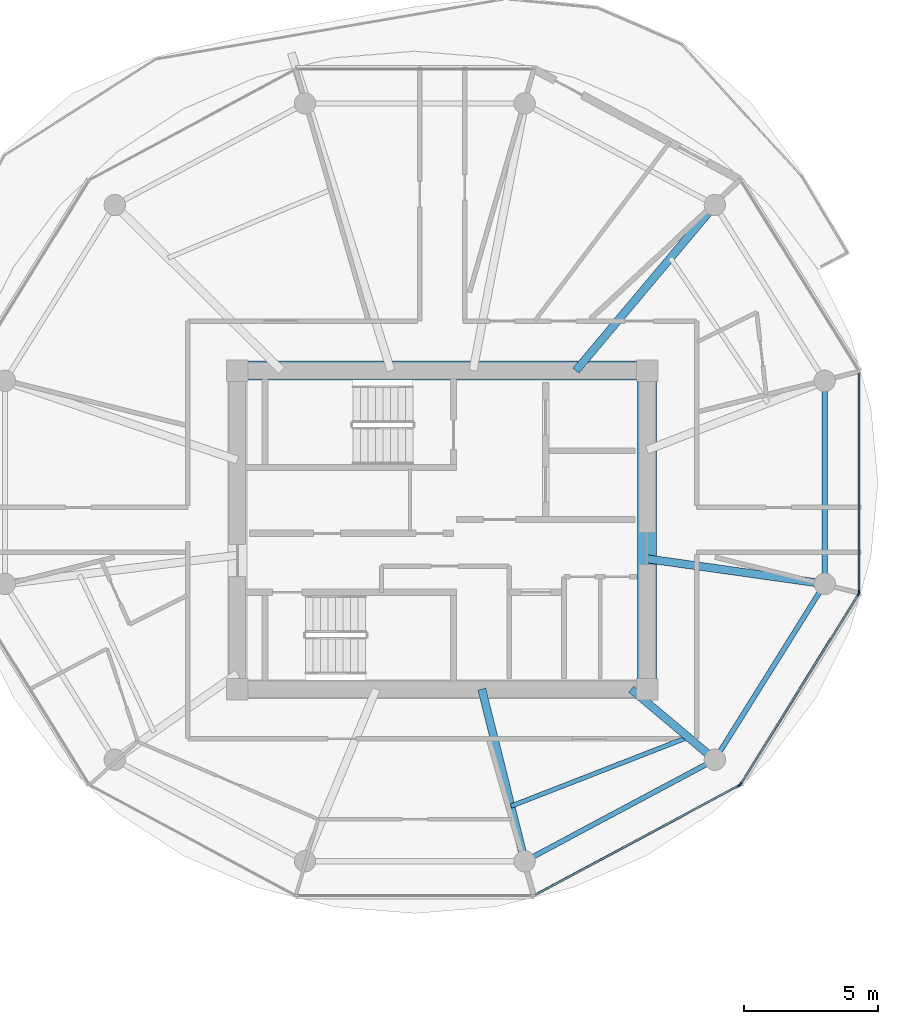
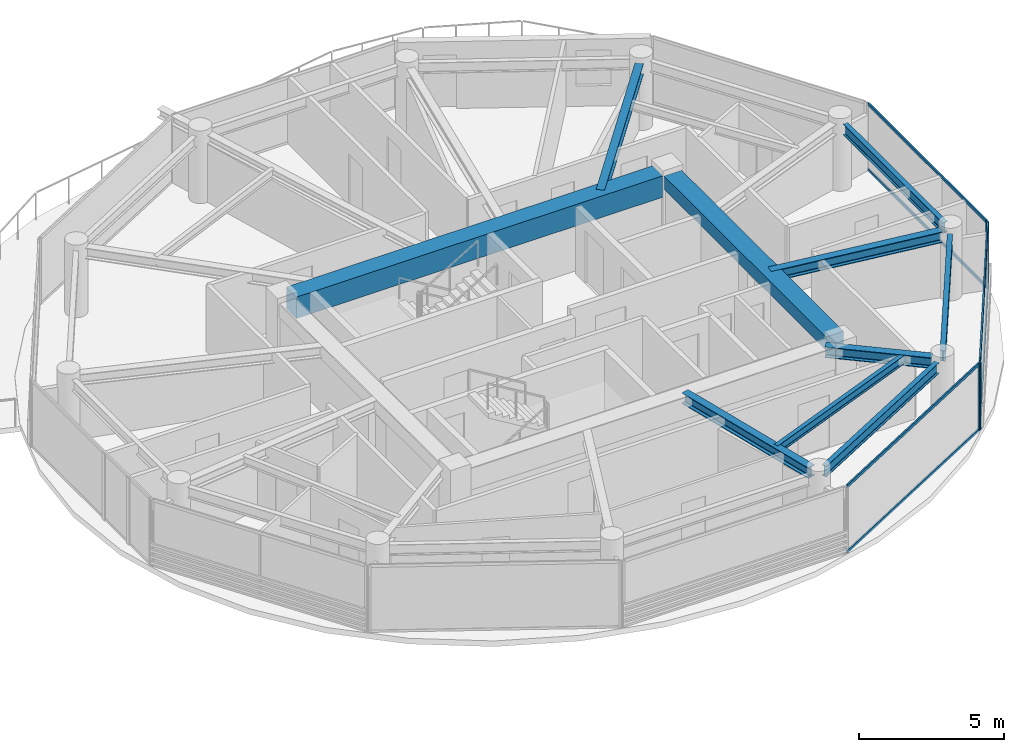
# One storey, part 9 of 22: 10 beams, 10 members, 3 elements without a shape of their own.
"""IFC4 building model written with IfcOpenShell, lengths in metres."""

from ifc_helpers import new_model, si_unit, direction, frame, origin, origin_2d, place, context, subcontext, project, spatial, rectangle, i_section, extrude, source, transform, mapped, material, layer, layer_set, material_profile, profile_set, type_object, type_shapes, element, aggregate, save


model = new_model("IFC4")

# Units and contexts
model_context = context("Model", 3, precision=1e-05, world=origin(), true_north=direction((0.0, 1.0)))
body_context = subcontext(model_context, "Body", "Model", "MODEL_VIEW")
ifc_project = project(units=[si_unit("LENGTHUNIT", "METRE"), si_unit("AREAUNIT", "SQUARE_METRE"), si_unit("VOLUMEUNIT", "CUBIC_METRE"), si_unit("PLANEANGLEUNIT", "RADIAN"), si_unit("MASSUNIT", "GRAM", prefix="KILO")], contexts=[model_context])

# Site, building, storey
site_placement = place(None, origin())
site = spatial("IfcSite", under=ifc_project, at=site_placement, CompositionType="ELEMENT")
building_placement = place(site_placement, origin())
building = spatial("IfcBuilding", under=site, at=building_placement, Name="Norrkilde Senior Care Towers", CompositionType="ELEMENT")
storey_placement = place(building_placement, frame((0.0, 0.0, 180.050048828125)))
storey = spatial("IfcBuildingStorey", under=building, at=storey_placement, Name="L56", CompositionType="ELEMENT", Elevation=180.050048828125)

# Beams
ifc_material_1 = material(Name="Concrete C60/75", Category="concrete")
ifc_material_profile_1 = material_profile(ifc_material_1, rectangle(XDim=0.699951171875, YDim=0.89990234375, at=origin_2d()), Name="RC BM 700x900")
ifc_profile_set_1 = profile_set([ifc_material_profile_1], Name="Concrete C60/75")
beam_type_1 = type_object("IfcBeamType", Name="Core Coupling Girder 700x900", PredefinedType="USERDEFINED", material=ifc_profile_set_1)
shared_shape_1 = source(origin(), body_context, "Body", "SweptSolid", [
    extrude(rectangle(XDim=0.699951171875, YDim=0.89990234375, at=origin_2d()), origin(), (0.0, 0.0, 1.0), 14.5400390625),
])
type_shapes(beam_type_1, [shared_shape_1])
beam_1_placement = place(storey_placement, frame((20.72998046875, 5.949951171875, 2.35986328125), z_axis=(1.0, 0.0, 0.0), x_axis=(0.0, 1.0, 0.0)))
element("IfcBeam", 1, at=beam_1_placement, inside=storey, type_object=beam_type_1, Name="L56 Core E N Coupling Girder", ObjectType="GIRDER", PredefinedType="USERDEFINED", context=body_context, shape_type="MappedRepresentation", body=[
    mapped(shared_shape_1, transform((0.0, 0.0, 0.0), x_axis=(1.0, 0.0, 0.0), y_axis=(0.0, 1.0, 0.0), z_axis=(0.0, 0.0, 1.0), scale=1.0)),
])
ifc_material_profile_2 = material_profile(ifc_material_1, rectangle(XDim=0.699951171875, YDim=0.550048828125, at=origin_2d()), Name="RC BM 700x550")
ifc_profile_set_2 = profile_set([ifc_material_profile_2], Name="Concrete C60/75")
beam_type_2 = type_object("IfcBeamType", Name="Core Portal Coupling Beam 700x550", PredefinedType="USERDEFINED", material=ifc_profile_set_2)
shared_shape_2 = source(origin(), body_context, "Body", "SweptSolid", [
    extrude(rectangle(XDim=0.699951171875, YDim=0.550048828125, at=origin_2d()), origin(), (0.0, 0.0, 1.0), 11.14013671875),
])
type_shapes(beam_type_2, [shared_shape_2])
beam_2_placement = place(storey_placement, frame((35.64990234375, -5.570068359375, 2.534912109375), z_axis=(0.0, 1.0, 0.0), x_axis=(-1.0, 0.0, 0.0)))
element("IfcBeam", 2, at=beam_2_placement, inside=storey, type_object=beam_type_2, Name="L56 Core E E Coupling Girder", ObjectType="GIRDER", PredefinedType="USERDEFINED", context=body_context, shape_type="MappedRepresentation", body=[
    mapped(shared_shape_2, transform((0.0, 0.0, 0.0), x_axis=(1.0, 0.0, 0.0), y_axis=(0.0, 1.0, 0.0), z_axis=(0.0, 0.0, 1.0), scale=1.0)),
])
ifc_material_2 = material(Name="Steel S355", Category="steel")
ifc_material_profile_3 = material_profile(ifc_material_2, i_section(OverallWidth=0.300048828125, OverallDepth=0.449951171875, WebThickness=0.013916015625, FlangeThickness=0.02587890625, FilletRadius=0.027099609375, at=origin_2d()), Name="HEB 450")
ifc_profile_set_3 = profile_set([ifc_material_profile_3], Name="Steel S355")
beam_type_3 = type_object("IfcBeamType", Name="Radial Floor Beam Z3 HEB450", PredefinedType="BEAM", material=ifc_profile_set_3)
shared_shape_3 = source(origin(), body_context, "Body", "SweptSolid", [
    extrude(i_section(OverallWidth=0.300048828125, OverallDepth=0.449951171875, WebThickness=0.013916015625, FlangeThickness=0.02587890625, FilletRadius=0.027099609375, at=origin_2d()), origin(), (0.0, 0.0, 1.0), 7.71337890625),
])
beam_3_placement = place(storey_placement, frame((32.992919921875, 5.949951171875, 2.5849609375), z_axis=(0.642808239864, 0.766027131872, 0.0), x_axis=(-0.766027131872, 0.642808239864, 0.0)))
element("IfcBeam", 3, at=beam_3_placement, inside=storey, type_object=beam_type_3, Name="L56 Drum E Radial Floor Beam 02", PredefinedType="BEAM", context=body_context, shape_type="MappedRepresentation", body=[
    mapped(shared_shape_3, transform((0.0, 0.0, 0.0), x_axis=(1.0, 0.0, 0.0), y_axis=(0.0, 1.0, 0.0), z_axis=(0.0, 0.0, 1.0), scale=1.0)),
])
ifc_material_profile_4 = material_profile(ifc_material_2, i_section(OverallWidth=0.18994140625, OverallDepth=0.449951171875, WebThickness=0.009521484375, FlangeThickness=0.0146484375, FilletRadius=0.02099609375, at=origin_2d()), Name="IPE 450")
ifc_profile_set_4 = profile_set([ifc_material_profile_4], Name="Steel S355")
beam_type_4 = type_object("IfcBeamType", Name="Perimeter Ring Spandrel Z3 IPE450", PredefinedType="SPANDREL", material=ifc_profile_set_4)
shared_shape_4 = source(origin(), body_context, "Body", "SweptSolid", [
    extrude(i_section(OverallWidth=0.18994140625, OverallDepth=0.449951171875, WebThickness=0.009521484375, FlangeThickness=0.0146484375, FilletRadius=0.02099609375, at=origin_2d()), origin(), (0.0, 0.0, 1.0), 6.86328125),
])
beam_4_placement = place(storey_placement, frame((42.284912109375, -1.65625, 2.5849609375), z_axis=(0.0, 1.0, 0.0), x_axis=(-1.0, 0.0, 0.0)))
element("IfcBeam", 4, at=beam_4_placement, inside=storey, type_object=beam_type_4, Name="L56 Drum E Perimeter Spandrel 12", PredefinedType="SPANDREL", context=body_context, shape_type="MappedRepresentation", body=[
    mapped(shared_shape_4, transform((0.0, 0.0, 0.0), x_axis=(1.0, 0.0, 0.0), y_axis=(0.0, 1.0, 0.0), z_axis=(0.0, 0.0, 1.0), scale=1.0)),
])
shared_shape_5 = source(origin(), body_context, "Body", "SweptSolid", [
    extrude(i_section(OverallWidth=0.18994140625, OverallDepth=0.449951171875, WebThickness=0.009521484375, FlangeThickness=0.0146484375, FilletRadius=0.02099609375, at=origin_2d()), origin(), (0.0, 0.0, 1.0), 7.023193359375),
])
beam_5_placement = place(storey_placement, frame((38.373291015625, -8.2783203125, 2.5849609375), z_axis=(0.529805197269, 0.848119362441, 0.0), x_axis=(-0.848119362441, 0.529805197269, 0.0)))
element("IfcBeam", 5, at=beam_5_placement, inside=storey, type_object=beam_type_4, Name="L56 Drum E Perimeter Spandrel 11", PredefinedType="SPANDREL", context=body_context, shape_type="MappedRepresentation", body=[
    mapped(shared_shape_5, transform((0.0, 0.0, 0.0), x_axis=(1.0, 0.0, 0.0), y_axis=(0.0, 1.0, 0.0), z_axis=(0.0, 0.0, 1.0), scale=1.0)),
])
shared_shape_6 = source(origin(), body_context, "Body", "SweptSolid", [
    extrude(i_section(OverallWidth=0.300048828125, OverallDepth=0.449951171875, WebThickness=0.013916015625, FlangeThickness=0.02587890625, FilletRadius=0.027099609375, at=origin_2d()), origin(), (0.0, 0.0, 1.0), 6.3408203125),
])
beam_6_placement = place(storey_placement, frame((35.64990234375, -1.079833984375, 2.5849609375), z_axis=(0.990184519576, -0.139766294905, 0.0), x_axis=(0.139766294905, 0.990184519576, 0.0)))
element("IfcBeam", 6, at=beam_6_placement, inside=storey, type_object=beam_type_3, Name="L56 Drum E Radial Floor Beam 12", PredefinedType="BEAM", context=body_context, shape_type="MappedRepresentation", body=[
    mapped(shared_shape_6, transform((0.0, 0.0, 0.0), x_axis=(1.0, 0.0, 0.0), y_axis=(0.0, 1.0, 0.0), z_axis=(0.0, 0.0, 1.0), scale=1.0)),
])
shared_shape_7 = source(origin(), body_context, "Body", "SweptSolid", [
    extrude(i_section(OverallWidth=0.18994140625, OverallDepth=0.449951171875, WebThickness=0.009521484375, FlangeThickness=0.0146484375, FilletRadius=0.02099609375, at=origin_2d()), origin(), (0.0, 0.0, 1.0), 7.333984375),
])
type_shapes(beam_type_4, [shared_shape_4, shared_shape_5, shared_shape_7])
beam_7_placement = place(storey_placement, frame((31.394775390625, -12.2060546875, 2.5849609375), z_axis=(0.882234038987, 0.470811109101, 0.0), x_axis=(-0.470811109101, 0.882234038987, 0.0)))
element("IfcBeam", 7, at=beam_7_placement, inside=storey, type_object=beam_type_4, Name="L56 Drum E Perimeter Spandrel 10", PredefinedType="SPANDREL", context=body_context, shape_type="MappedRepresentation", body=[
    mapped(shared_shape_7, transform((0.0, 0.0, 0.0), x_axis=(1.0, 0.0, 0.0), y_axis=(0.0, 1.0, 0.0), z_axis=(0.0, 0.0, 1.0), scale=1.0)),
])
shared_shape_8 = source(origin(), body_context, "Body", "SweptSolid", [
    extrude(i_section(OverallWidth=0.300048828125, OverallDepth=0.449951171875, WebThickness=0.013916015625, FlangeThickness=0.02587890625, FilletRadius=0.027099609375, at=origin_2d()), origin(), (0.0, 0.0, 1.0), 3.7265625),
])
beam_8_placement = place(storey_placement, frame((35.058349609375, -5.949951171875, 2.5849609375), z_axis=(0.764567902106, -0.644543189453, 0.0), x_axis=(0.644543189453, 0.764567902106, 0.0)))
element("IfcBeam", 8, at=beam_8_placement, inside=storey, type_object=beam_type_3, Name="L56 Drum E Radial Floor Beam 11", PredefinedType="BEAM", context=body_context, shape_type="MappedRepresentation", body=[
    mapped(shared_shape_8, transform((0.0, 0.0, 0.0), x_axis=(1.0, 0.0, 0.0), y_axis=(0.0, 1.0, 0.0), z_axis=(0.0, 0.0, 1.0), scale=1.0)),
])
shared_shape_9 = source(origin(), body_context, "Body", "SweptSolid", [
    extrude(i_section(OverallWidth=0.300048828125, OverallDepth=0.449951171875, WebThickness=0.013916015625, FlangeThickness=0.02587890625, FilletRadius=0.027099609375, at=origin_2d()), origin(), (0.0, 0.0, 1.0), 6.26123046875),
])
type_shapes(beam_type_3, [shared_shape_3, shared_shape_6, shared_shape_8, shared_shape_9])
beam_9_placement = place(storey_placement, frame((29.4794921875, -5.949951171875, 2.5849609375), z_axis=(0.241324375921, -0.970444509277, 0.0), x_axis=(0.970444509277, 0.241324375921, 0.0)))
element("IfcBeam", 9, at=beam_9_placement, inside=storey, type_object=beam_type_3, Name="L56 Drum E Radial Floor Beam 10", PredefinedType="BEAM", context=body_context, shape_type="MappedRepresentation", body=[
    mapped(shared_shape_9, transform((0.0, 0.0, 0.0), x_axis=(1.0, 0.0, 0.0), y_axis=(0.0, 1.0, 0.0), z_axis=(0.0, 0.0, 1.0), scale=1.0)),
])
ifc_material_profile_5 = material_profile(ifc_material_2, i_section(OverallWidth=0.169921875, OverallDepth=0.360107421875, WebThickness=0.008056640625, FlangeThickness=0.0126953125, FilletRadius=0.01806640625, at=origin_2d()), Name="IPE 360")
ifc_profile_set_5 = profile_set([ifc_material_profile_5], Name="Steel S355")
beam_type_5 = type_object("IfcBeamType", Name="Secondary Floor Joist IPE360", PredefinedType="JOIST", material=ifc_profile_set_5)
shared_shape_10 = source(origin(), body_context, "Body", "SweptSolid", [
    extrude(i_section(OverallWidth=0.169921875, OverallDepth=0.360107421875, WebThickness=0.008056640625, FlangeThickness=0.0126953125, FilletRadius=0.01806640625, at=origin_2d()), origin(), (0.0, 0.0, 1.0), 7.1015625),
])
type_shapes(beam_type_5, [shared_shape_10])
beam_10_placement = place(storey_placement, frame((30.56591796875, -10.3193359375, 2.6298828125), z_axis=(0.931761231292, 0.363071629106, 0.0), x_axis=(-0.363071629106, 0.931761231292, 0.0)))
element("IfcBeam", 10, at=beam_10_placement, inside=storey, type_object=beam_type_5, Name="L56 Drum E Secondary Floor Joist 4", PredefinedType="JOIST", context=body_context, shape_type="MappedRepresentation", body=[
    mapped(shared_shape_10, transform((0.0, 0.0, 0.0), x_axis=(1.0, 0.0, 0.0), y_axis=(0.0, 1.0, 0.0), z_axis=(0.0, 0.0, 1.0), scale=1.0)),
])

# Curtain wall, member
ifc_material_3 = material(Name="Triple Low-E Insulated Glazing", Category="glass")
ifc_layer = layer(ifc_material_3, 0.18994140625)
ifc_layer_set = layer_set([ifc_layer], Name="Triple Low-E Insulated Glazing")
curtain_wall_type = type_object("IfcCurtainWallType", Name="CW4 Zone 3 Senior Residence Curtain Wall", PredefinedType="NOTDEFINED", material=ifc_layer_set)
curtain_wall_1_placement = place(storey_placement, origin())
curtain_wall_1 = element("IfcCurtainWall", 11, at=curtain_wall_1_placement, inside=storey, type_object=curtain_wall_type, Name="L56 Drum E Curtain Wall 09", PredefinedType="NOTDEFINED")
ifc_material_4 = material(Name="Anodised Aluminium", Category="aluminium")
ifc_material_profile_6 = material_profile(ifc_material_4, rectangle(XDim=0.06494140625, YDim=0.14990234375, at=origin_2d()), Name="ALU MULL 65x150")
ifc_profile_set_6 = profile_set([ifc_material_profile_6], Name="Anodised Aluminium")
member_type_1 = type_object("IfcMemberType", Name="Curtain Wall Mullion Z3-Z4 65x150", PredefinedType="MULLION", material=ifc_profile_set_6)
shared_shape_11 = source(origin(), body_context, "Body", "SweptSolid", [
    extrude(rectangle(XDim=0.06494140625, YDim=0.14990234375, at=origin_2d()), origin(), (0.0, 0.0, 1.0), 2.81005859375),
])
type_shapes(member_type_1, [shared_shape_11])
member_1_placement = place(storey_placement, frame((39.094482421875, -9.53955078125, 0.0), z_axis=(0.0, 0.0, 1.0), x_axis=(0.47311715104, -0.880999524059, 0.0)))
member_1 = element("IfcMember", 12, at=member_1_placement, type_object=member_type_1, Name="CW-4 mullion 1", PredefinedType="MULLION", context=body_context, shape_type="MappedRepresentation", body=[
    mapped(shared_shape_11, transform((0.0, 0.0, 0.0), x_axis=(1.0, 0.0, 0.0), y_axis=(0.0, 1.0, 0.0), z_axis=(0.0, 0.0, 1.0), scale=1.0)),
])

# Curtain wall, members
curtain_wall_2_placement = place(storey_placement, origin())
curtain_wall_2 = element("IfcCurtainWall", 13, at=curtain_wall_2_placement, inside=storey, type_object=curtain_wall_type, Name="L56 Drum E Curtain Wall 10", PredefinedType="NOTDEFINED")
member_2_placement = place(storey_placement, frame((43.552490234375, -2.38818359375, 0.0), z_axis=(0.0, 0.0, 1.0), x_axis=(0.84963405474, -0.52737270789, 0.0)))
member_2 = element("IfcMember", 14, at=member_2_placement, type_object=member_type_1, Name="CW-4 mullion 1", PredefinedType="MULLION", context=body_context, shape_type="MappedRepresentation", body=[
    mapped(shared_shape_11, transform((0.0, 0.0, 0.0), x_axis=(1.0, 0.0, 0.0), y_axis=(0.0, 1.0, 0.0), z_axis=(0.0, 0.0, 1.0), scale=1.0)),
])
member_3_placement = place(storey_placement, frame((39.14013671875, -9.49658203125, 0.0), z_axis=(0.0, 0.0, 1.0), x_axis=(0.84963405474, -0.52737270789, 0.0)))
member_3 = element("IfcMember", 15, at=member_3_placement, type_object=member_type_1, Name="CW-4 mullion 2", PredefinedType="MULLION", context=body_context, shape_type="MappedRepresentation", body=[
    mapped(shared_shape_11, transform((0.0, 0.0, 0.0), x_axis=(1.0, 0.0, 0.0), y_axis=(0.0, 1.0, 0.0), z_axis=(0.0, 0.0, 1.0), scale=1.0)),
])

# Curtain wall, member
curtain_wall_3_placement = place(storey_placement, origin())
curtain_wall_3 = element("IfcCurtainWall", 16, at=curtain_wall_3_placement, inside=storey, type_object=curtain_wall_type, Name="L56 Drum E Curtain Wall 11", PredefinedType="NOTDEFINED")
member_4_placement = place(storey_placement, frame((43.569580078125, -2.328125, 0.0), z_axis=(0.0, 0.0, 1.0), x_axis=(1.0, 0.0, 0.0)))
member_4 = element("IfcMember", 17, at=member_4_placement, type_object=member_type_1, Name="CW-4 mullion 2", PredefinedType="MULLION", context=body_context, shape_type="MappedRepresentation", body=[
    mapped(shared_shape_11, transform((0.0, 0.0, 0.0), x_axis=(1.0, 0.0, 0.0), y_axis=(0.0, 1.0, 0.0), z_axis=(0.0, 0.0, 1.0), scale=1.0)),
])

# Member
ifc_material_profile_7 = material_profile(ifc_material_4, rectangle(XDim=0.06005859375, YDim=0.1201171875, at=origin_2d()), Name="ALU TRAN 60x120")
ifc_profile_set_7 = profile_set([ifc_material_profile_7], Name="Anodised Aluminium")
member_type_2 = type_object("IfcMemberType", Name="Curtain Wall Transom Typical 60x120", PredefinedType="USERDEFINED", material=ifc_profile_set_7)
shared_shape_12 = source(origin(), body_context, "Body", "SweptSolid", [
    extrude(rectangle(XDim=0.06005859375, YDim=0.1201171875, at=origin_2d()), origin(), (0.0, 0.0, 1.0), 8.301513671875),
])
member_5_placement = place(storey_placement, frame((43.535400390625, -2.415771484375, 0.030029296875), z_axis=(-0.527368718394, -0.849636531029, 0.0), x_axis=(0.849636531029, -0.527368718394, 0.0)))
member_5 = element("IfcMember", 18, at=member_5_placement, type_object=member_type_2, Name="CW-4 transom 1.1", ObjectType="TRANSOM", PredefinedType="USERDEFINED", context=body_context, shape_type="MappedRepresentation", body=[
    mapped(shared_shape_12, transform((0.0, 0.0, 0.0), x_axis=(1.0, 0.0, 0.0), y_axis=(0.0, 1.0, 0.0), z_axis=(0.0, 0.0, 1.0), scale=1.0)),
])

member_6_placement = place(storey_placement, frame((43.535400390625, -2.415771484375, 2.780029296875), z_axis=(-0.527368718394, -0.849636531029, 0.0), x_axis=(0.849636531029, -0.527368718394, 0.0)))
member_6 = element("IfcMember", 19, at=member_6_placement, type_object=member_type_2, Name="CW-4 transom 1.2", ObjectType="TRANSOM", PredefinedType="USERDEFINED", context=body_context, shape_type="MappedRepresentation", body=[
    mapped(shared_shape_12, transform((0.0, 0.0, 0.0), x_axis=(1.0, 0.0, 0.0), y_axis=(0.0, 1.0, 0.0), z_axis=(0.0, 0.0, 1.0), scale=1.0)),
])

aggregate(curtain_wall_2, [member_2, member_3, member_5, member_6])

shared_shape_13 = source(origin(), body_context, "Body", "SweptSolid", [
    extrude(rectangle(XDim=0.06005859375, YDim=0.1201171875, at=origin_2d()), origin(), (0.0, 0.0, 1.0), 8.612060546875),
])
member_7_placement = place(storey_placement, frame((39.06591796875, -9.554931640625, 0.030029296875), z_axis=(-0.881000337462, -0.473115636384, 0.0), x_axis=(0.473115636384, -0.881000337462, 0.0)))
member_7 = element("IfcMember", 20, at=member_7_placement, type_object=member_type_2, Name="CW-4 transom 1.1", ObjectType="TRANSOM", PredefinedType="USERDEFINED", context=body_context, shape_type="MappedRepresentation", body=[
    mapped(shared_shape_13, transform((0.0, 0.0, 0.0), x_axis=(1.0, 0.0, 0.0), y_axis=(0.0, 1.0, 0.0), z_axis=(0.0, 0.0, 1.0), scale=1.0)),
])

member_8_placement = place(storey_placement, frame((39.06591796875, -9.554931640625, 2.780029296875), z_axis=(-0.881000337462, -0.473115636384, 0.0), x_axis=(0.473115636384, -0.881000337462, 0.0)))
member_8 = element("IfcMember", 21, at=member_8_placement, type_object=member_type_2, Name="CW-4 transom 1.2", ObjectType="TRANSOM", PredefinedType="USERDEFINED", context=body_context, shape_type="MappedRepresentation", body=[
    mapped(shared_shape_13, transform((0.0, 0.0, 0.0), x_axis=(1.0, 0.0, 0.0), y_axis=(0.0, 1.0, 0.0), z_axis=(0.0, 0.0, 1.0), scale=1.0)),
])

aggregate(curtain_wall_1, [member_1, member_7, member_8])

shared_shape_14 = source(origin(), body_context, "Body", "SweptSolid", [
    extrude(rectangle(XDim=0.06005859375, YDim=0.1201171875, at=origin_2d()), origin(), (0.0, 0.0, 1.0), 8.141845703125),
])
type_shapes(member_type_2, [shared_shape_12, shared_shape_13, shared_shape_14])
member_9_placement = place(storey_placement, frame((43.569580078125, 5.84619140625, 0.030029296875), z_axis=(0.0, -1.0, 0.0), x_axis=(1.0, 0.0, 0.0)))
member_9 = element("IfcMember", 22, at=member_9_placement, type_object=member_type_2, Name="CW-4 transom 1.1", ObjectType="TRANSOM", PredefinedType="USERDEFINED", context=body_context, shape_type="MappedRepresentation", body=[
    mapped(shared_shape_14, transform((0.0, 0.0, 0.0), x_axis=(1.0, 0.0, 0.0), y_axis=(0.0, 1.0, 0.0), z_axis=(0.0, 0.0, 1.0), scale=1.0)),
])

member_10_placement = place(storey_placement, frame((43.569580078125, 5.84619140625, 2.780029296875), z_axis=(0.0, -1.0, 0.0), x_axis=(1.0, 0.0, 0.0)))
member_10 = element("IfcMember", 23, at=member_10_placement, type_object=member_type_2, Name="CW-4 transom 1.2", ObjectType="TRANSOM", PredefinedType="USERDEFINED", context=body_context, shape_type="MappedRepresentation", body=[
    mapped(shared_shape_14, transform((0.0, 0.0, 0.0), x_axis=(1.0, 0.0, 0.0), y_axis=(0.0, 1.0, 0.0), z_axis=(0.0, 0.0, 1.0), scale=1.0)),
])

aggregate(curtain_wall_3, [member_4, member_9, member_10])

save(model, "model.ifc")
